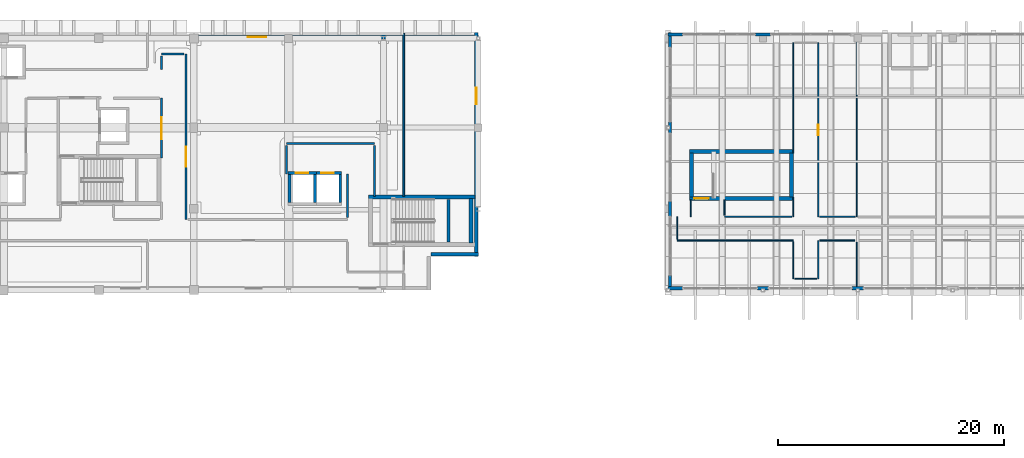
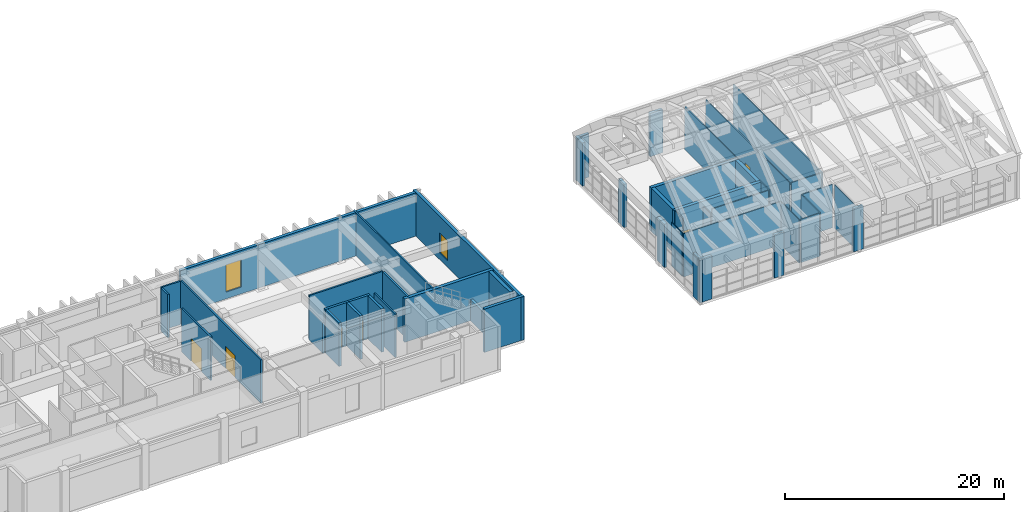
# One storey, part 70 of 78: 48 walls, 6 doors, 2 windows, 8 openings.
"""IFC4 building model written with IfcOpenShell, lengths in metres."""

import ifcopenshell
import ifcopenshell.guid

model = None  # the IFC model being written
_history = None  # IfcOwnerHistory: only IFC2X3 demands one
_inside = {}  # id of a spatial element -> (the spatial element, [elements in it])
_under = {}  # id of a project, library or spatial element -> (it, [spatial elements below it])
_declared = {}  # id of a project -> (the project, [libraries it declares])
_typed = {}  # id of a type object -> (the type object, [elements of that type])
_made_of = {}  # id of a material, layer set ... -> (it, [elements and type objects made of it])


def new_model(schema):
    """Start an empty IFC model of exactly this schema.

    Asked for "IFC4X3", IfcOpenShell would pick the latest addendum, in which some entities
    have other attributes; the version numbers below select the first issue.
    IFC2X3 requires an IfcOwnerHistory on every rooted entity: one is made here for all.
    """
    global model, _history
    if schema == "IFC4X3":
        model = ifcopenshell.file(schema_version=(4, 3, 0, 0))
    else:
        model = ifcopenshell.file(schema=schema)
    _inside.clear()
    _under.clear()
    _declared.clear()
    _typed.clear()
    _made_of.clear()
    _history = None
    if model.schema == "IFC2X3":
        org = make("IfcOrganization", Name="unknown")
        user = make(
            "IfcPersonAndOrganization",
            ThePerson=make("IfcPerson", FamilyName="unknown"),
            TheOrganization=org,
        )
        app = make(
            "IfcApplication",
            ApplicationDeveloper=org,
            Version="unknown",
            ApplicationFullName="unknown",
            ApplicationIdentifier="unknown",
        )
        _history = make(
            "IfcOwnerHistory",
            OwningUser=user,
            OwningApplication=app,
            ChangeAction="ADDED",
            CreationDate=0,
        )
    return model


def make(cls, **values):
    """One entity of the class cls with the attributes given. An attribute that is None is left unset."""
    return model.create_entity(
        cls, **{name: value for name, value in values.items() if value is not None}
    )


def rooted(cls, **values):
    """An entity with a GlobalId (a new one), such as an element, a storey or a relation."""
    return make(cls, GlobalId=ifcopenshell.guid.new(), OwnerHistory=_history, **values)


def si_unit(unit_type, name, prefix=None):
    """IfcSIUnit, for example si_unit("LENGTHUNIT", "METRE", prefix="MILLI")."""
    return make("IfcSIUnit", UnitType=unit_type, Prefix=prefix, Name=name)


def assignment(units):
    """IfcUnitAssignment: the units of a project."""
    return None if units is None else make("IfcUnitAssignment", Units=units)


def point(xyz):
    """IfcCartesianPoint."""
    return None if xyz is None else make("IfcCartesianPoint", Coordinates=xyz)


def direction(xyz):
    """IfcDirection."""
    return None if xyz is None else make("IfcDirection", DirectionRatios=xyz)


def frame(location, z_axis=None, x_axis=None):
    """IfcAxis2Placement3D, a coordinate frame: its origin and axes. An axis left out is left unset."""
    return make(
        "IfcAxis2Placement3D",
        Location=point(location),
        Axis=direction(z_axis),
        RefDirection=direction(x_axis),
    )


def frame_2d(location, x_axis=None):
    """IfcAxis2Placement2D, a coordinate frame in the plane: its origin and x axis."""
    return make(
        "IfcAxis2Placement2D", Location=point(location), RefDirection=direction(x_axis)
    )


def origin():
    """The frame at (0, 0, 0) with its axes left unset."""
    return frame((0.0, 0.0, 0.0))


def place(relative_to, where):
    """IfcLocalPlacement: puts the frame where relative to a parent placement (None: the world)."""
    return make(
        "IfcLocalPlacement", PlacementRelTo=relative_to, RelativePlacement=where
    )


def context(
    kind, dimensions, precision=None, world=None, true_north=None, identifier=None
):
    """IfcGeometricRepresentationContext, for example the 3D "Model" context."""
    return make(
        "IfcGeometricRepresentationContext",
        ContextIdentifier=identifier,
        ContextType=kind,
        CoordinateSpaceDimension=dimensions,
        Precision=precision,
        WorldCoordinateSystem=world,
        TrueNorth=true_north,
    )


def subcontext(parent, identifier, kind, view, scale=None):
    """IfcGeometricRepresentationSubContext, for example "Body" below "Model"."""
    return make(
        "IfcGeometricRepresentationSubContext",
        ContextIdentifier=identifier,
        ContextType=kind,
        ParentContext=parent,
        TargetScale=scale,
        TargetView=view,
    )


def project(units=None, contexts=None):
    """IfcProject with its units and contexts."""
    return rooted(
        "IfcProject",
        Name="project",
        RepresentationContexts=contexts,
        UnitsInContext=assignment(units),
    )


def spatial(cls, under=None, at=None, **own):
    """A site, building, storey or space (cls), placed at a placement, below another one or the project."""
    s = rooted(cls, ObjectPlacement=at, **own)
    if under is not None:
        _under.setdefault(under.id(), (under, []))[1].append(s)
    return s


def profile(cls, at=None, kind="AREA", **sizes):
    """A parametric profile (cls). Its sizes go by their IFC names, for example OverallWidth=200.0."""
    return make(cls, ProfileType=kind, Position=at, **sizes)


def rectangle(**sizes):
    """IfcRectangleProfileDef."""
    return profile("IfcRectangleProfileDef", **sizes)


def extrude(swept, where, along, depth):
    """IfcExtrudedAreaSolid: the profile swept, set in the frame where, extruded along a direction by depth."""
    return make(
        "IfcExtrudedAreaSolid",
        SweptArea=swept,
        Position=where,
        ExtrudedDirection=direction(along),
        Depth=depth,
    )


def shape(context_of_items, identifier, shape_type, items):
    """IfcShapeRepresentation: the items that make up one representation, for example the "Body"."""
    return make(
        "IfcShapeRepresentation",
        ContextOfItems=context_of_items,
        RepresentationIdentifier=identifier,
        RepresentationType=shape_type,
        Items=items,
    )


def material(Name=None, Category=None):
    """IfcMaterial."""
    return make("IfcMaterial", Name=Name, Category=Category)


def layer(
    of_material, thickness, ventilated=None, Name=None, Category=None, Priority=None
):
    """IfcMaterialLayer: one layer of a wall or slab, of a material (None: an air gap)."""
    return make(
        "IfcMaterialLayer",
        Material=of_material,
        LayerThickness=thickness,
        IsVentilated=ventilated,
        Name=Name,
        Category=Category,
        Priority=Priority,
    )


def layer_set(layers, Name=None):
    """IfcMaterialLayerSet."""
    return make("IfcMaterialLayerSet", MaterialLayers=layers, LayerSetName=Name)


def made_of(thing, what):
    """Note that an element or type object is made of a material, layer set ...; save() writes the relation."""
    if what is not None:
        _made_of.setdefault(what.id(), (what, []))[1].append(thing)
    return thing


def type_object(cls, material=None, **own):
    """A type object (cls), such as IfcWallType, which elements share."""
    return made_of(rooted(cls, **own), material)


def element(
    cls,
    number,
    at=None,
    inside=None,
    cuts=None,
    type_object=None,
    material=None,
    context=None,
    identifier="Body",
    shape_type=None,
    held_by="IfcProductDefinitionShape",
    body=None,
    shapes=None,
    **own,
):
    """One element of the class cls, such as IfcWall. Its Tag is "e" and its number.

    at: its placement. inside: the storey or other place that contains it. cuts: it is an
    opening in that element (IfcRelVoidsElement). A single representation is given by context,
    identifier, shape_type and body (its items); several are given by shapes. held_by: the class
    of the entity that holds the representations. save() writes the other relations.
    """
    e = rooted(cls, Tag="e%d" % number, ObjectPlacement=at, **own)
    if body is not None:
        shapes = [shape(context, identifier, shape_type, body)]
    if shapes is not None:
        e.Representation = make(held_by, Representations=shapes)
    if inside is not None:
        _inside.setdefault(inside.id(), (inside, []))[1].append(e)
    if cuts is not None:
        rooted(
            "IfcRelVoidsElement", RelatingBuildingElement=cuts, RelatedOpeningElement=e
        )
    if type_object is not None:
        _typed.setdefault(type_object.id(), (type_object, []))[1].append(e)
    return made_of(e, material)


def fill(opening, filler):
    """IfcRelFillsElement: the door or window that sits in an opening."""
    return rooted(
        "IfcRelFillsElement",
        RelatingOpeningElement=opening,
        RelatedBuildingElement=filler,
    )


def aggregate(whole, parts):
    """IfcRelAggregates: a whole, such as a stair, and the parts it consists of."""
    return rooted("IfcRelAggregates", RelatingObject=whole, RelatedObjects=parts)


def save(model, path):
    """Write the relations noted so far, then the file.

    IfcRelAggregates (storeys below a building ...), IfcRelContainedInSpatialStructure (elements
    in a storey), IfcRelDefinesByType, IfcRelAssociatesMaterial and IfcRelDeclares: one each for
    every whole, place, type object, material and project.
    """
    for whole, parts in _under.values():
        aggregate(whole, parts)
    for where, things in _inside.values():
        rooted(
            "IfcRelContainedInSpatialStructure",
            RelatedElements=things,
            RelatingStructure=where,
        )
    for kind, things in _typed.values():
        rooted("IfcRelDefinesByType", RelatedObjects=things, RelatingType=kind)
    for what, things in _made_of.values():
        rooted("IfcRelAssociatesMaterial", RelatedObjects=things, RelatingMaterial=what)
    for by, libraries in _declared.values():
        rooted("IfcRelDeclares", RelatingContext=by, RelatedDefinitions=libraries)
    model.write(path)


model = new_model("IFC4")

# Units and contexts
model_context = context("Model", 3, precision=1e-05, world=origin(), true_north=direction((0.0, 1.0)))
body_context = subcontext(model_context, "Body", "Model", "MODEL_VIEW")
ifc_project = project(units=[si_unit("LENGTHUNIT", "METRE"), si_unit("AREAUNIT", "SQUARE_METRE"), si_unit("VOLUMEUNIT", "CUBIC_METRE"), si_unit("PLANEANGLEUNIT", "RADIAN"), si_unit("MASSUNIT", "GRAM", prefix="KILO")], contexts=[model_context])

# Site, building, storey
site_placement = place(None, origin())
site = spatial("IfcSite", under=ifc_project, at=site_placement, CompositionType="ELEMENT")
building_placement = place(site_placement, origin())
building = spatial("IfcBuilding", under=site, at=building_placement, Name="Quendrovan Civic Courthouse", CompositionType="ELEMENT")
storey_placement = place(building_placement, frame((0.0, 0.0, 20.39990234375)))
storey = spatial("IfcBuildingStorey", under=building, at=storey_placement, Name="L05", CompositionType="ELEMENT", Elevation=20.39990234375)

# Walls
ifc_material_1 = material(Name="Concrete C45/55", Category="concrete")
ifc_layer_1 = layer(ifc_material_1, 0.35009765625, Name="Concrete C45/55")
ifc_layer_set_1 = layer_set([ifc_layer_1], Name="Concrete C45/55")
wall_type_1 = type_object("IfcWallType", Name="WL-CORE-350", PredefinedType="SHEAR", material=ifc_layer_set_1)
wall_1_placement = place(storey_placement, frame((92.10009765625, 95.8349609375, 0.0), z_axis=(0.0, 0.0, 1.0), x_axis=(-1.0, 0.0, 0.0)))
element("IfcWall", 1, at=wall_1_placement, inside=storey, type_object=wall_type_1, Name="L05 Core Shear Wall ST3-N", PredefinedType="SHEAR", context=body_context, shape_type="SweptSolid", body=[
    extrude(rectangle(XDim=9.41015625, YDim=0.35009765625, at=frame_2d((4.705078125, 0.0))), origin(), (0.0, 0.0, 1.0), 4.840087890625),
])
wall_2_placement = place(storey_placement, frame((91.735107421875, 95.699951171875, 0.0), z_axis=(0.0, 0.0, 1.0), x_axis=(0.0, -1.0, 0.0)))
element("IfcWall", 2, at=wall_2_placement, inside=storey, type_object=wall_type_1, Name="L05 Core Shear Wall ST3-E", PredefinedType="SHEAR", context=body_context, shape_type="SweptSolid", body=[
    extrude(rectangle(XDim=3.89990234375, YDim=0.35009765625, at=frame_2d((1.949951171875, 0.0))), origin(), (0.0, 0.0, 1.0), 4.840087890625),
])

# Wall, opening, door
wall_3_placement = place(storey_placement, frame((111.090087890625, 95.715087890625, 0.0), z_axis=(0.0, 0.0, 1.0), x_axis=(1.0, 0.0, 0.0)))
wall_3 = element("IfcWall", 3, at=wall_3_placement, inside=storey, type_object=wall_type_1, Name="L05 Core Shear Wall ST6-S", PredefinedType="SHEAR", context=body_context, shape_type="SweptSolid", body=[
    extrude(rectangle(XDim=9.219970703125, YDim=0.35009765625, at=frame_2d((4.60986328125, 0.0))), origin(), (0.0, 0.0, 1.0), 4.840087890625),
])
opening_1_placement = place(wall_3_placement, frame((0.449951171875, 0.0, 0.0)))
opening_1 = element("IfcOpeningElement", 4, at=opening_1_placement, cuts=wall_3, Name="Opening DS-ST6-L05", PredefinedType="OPENING", context=body_context, shape_type="SweptSolid", body=[
    extrude(rectangle(XDim=1.25, YDim=2.199951171875, at=frame_2d((0.625, 1.10009765625))), frame((0.0, 0.18505859375, 0.0), z_axis=(0.0, -1.0, 0.0), x_axis=(1.0, 0.0, 0.0)), (0.0, 0.0, 1.0), 0.3701171875),
])
ifc_material_2 = material(Name="Painted galvanized hollow-metal steel", Category="steel")
door_type_1 = type_object("IfcDoorType", Name="DR-STAIR-1250", OperationType="NOTDEFINED", PredefinedType="DOOR", material=ifc_material_2)
door_1_placement = place(opening_1_placement, origin())
door_1 = element("IfcDoor", 5, at=door_1_placement, inside=storey, type_object=door_type_1, Name="L05 Exit Stair ST6 Fire Door", OperationType="SINGLE_SWING_LEFT", OverallHeight=2.199951171875, OverallWidth=1.25, PredefinedType="DOOR", context=body_context, shape_type="SweptSolid", body=[
    extrude(rectangle(XDim=1.25, YDim=2.199951171875, at=frame_2d((0.625, 1.10009765625))), frame((0.0, 0.02490234375, 0.0), z_axis=(0.0, -1.0, 0.0), x_axis=(1.0, 0.0, 0.0)), (0.0, 0.0, 1.0), 0.050048828125),
])
fill(opening_1, door_1)

# Walls
wall_4_placement = place(storey_placement, frame((120.31005859375, 99.885009765625, 0.0), z_axis=(0.0, 0.0, 1.0), x_axis=(-1.0, 0.0, 0.0)))
element("IfcWall", 6, at=wall_4_placement, inside=storey, type_object=wall_type_1, Name="L05 Core Shear Wall ST6-N", PredefinedType="SHEAR", context=body_context, shape_type="SweptSolid", body=[
    extrude(rectangle(XDim=9.219970703125, YDim=0.35009765625, at=frame_2d((4.60986328125, 0.0))), origin(), (0.0, 0.0, 1.0), 4.840087890625),
])
for number, where, z_axis, x_axis, name in (
    (7, (111.264892578125, 95.85009765625, 0.0), (0.0, 0.0, 1.0), (0.0, 1.0, 0.0), "L05 Core Shear Wall ST6-W"),
    (8, (120.135009765625, 99.75, 0.0), (0.0, 0.0, 1.0), (0.0, -1.0, 0.0), "L05 Core Shear Wall ST6-E"),
):
    element("IfcWall", number, at=place(storey_placement, frame(where, z_axis=z_axis, x_axis=x_axis)), inside=storey, type_object=wall_type_1, Name=name, PredefinedType="SHEAR", context=body_context, shape_type="SweptSolid", body=[
        extrude(rectangle(XDim=3.89990234375, YDim=0.35009765625, at=frame_2d((1.949951171875, 0.0))), origin(), (0.0, 0.0, 1.0), 4.840087890625),
    ])

# Wall, opening, door
ifc_material_3 = material(Name="Acoustic gypsum and mineral wool partition")
ifc_layer_2 = layer(ifc_material_3, 0.179931640625, Name="Acoustic gypsum and mineral wool partition")
ifc_layer_set_2 = layer_set([ifc_layer_2], Name="Acoustic gypsum and mineral wool partition")
wall_type_2 = type_object("IfcWallType", Name="WL-CRT-AC180", PredefinedType="PARTITIONING", material=ifc_layer_set_2)
wall_5_placement = place(storey_placement, frame((66.5, 93.85009765625, 0.0), z_axis=(0.0, 0.0, 1.0), x_axis=(0.0, 1.0, 0.0)))
wall_5 = element("IfcWall", 9, at=wall_5_placement, inside=storey, type_object=wall_type_2, Name="L05 Criminal Courtroom 2 Partition 0677", PredefinedType="PARTITIONING", context=body_context, shape_type="SweptSolid", body=[
    extrude(rectangle(XDim=14.64990234375, YDim=0.179931640625, at=frame_2d((7.324951171875, 0.0))), origin(), (0.0, 0.0, 1.0), 4.840087890625),
])
opening_2_placement = place(wall_5_placement, frame((4.68701171875, 0.0, 0.0)))
opening_2 = element("IfcOpeningElement", 10, at=opening_2_placement, cuts=wall_5, Name="Opening D-L05-102", PredefinedType="OPENING", context=body_context, shape_type="SweptSolid", body=[
    extrude(rectangle(XDim=1.760009765625, YDim=2.47998046875, at=frame_2d((0.8798828125, 1.239990234375))), frame((0.0, 0.10009765625, 0.0), z_axis=(0.0, -1.0, 0.0), x_axis=(1.0, 0.0, 0.0)), (0.0, 0.0, 1.0), 0.199951171875),
])
ifc_material_4 = material(Name="Acoustic solid Western Red Cedar timber door", Category="wood")
door_type_2 = type_object("IfcDoorType", Name="DR-CRT-DBL1760", OperationType="NOTDEFINED", PredefinedType="DOOR", material=ifc_material_4)
door_2_placement = place(opening_2_placement, origin())
door_2 = element("IfcDoor", 11, at=door_2_placement, inside=storey, type_object=door_type_2, Name="L05 Criminal Courtroom 2 Door D-L05-102", OperationType="SINGLE_SWING_LEFT", OverallHeight=2.47998046875, OverallWidth=1.760009765625, PredefinedType="DOOR", context=body_context, shape_type="SweptSolid", body=[
    extrude(rectangle(XDim=1.760009765625, YDim=2.47998046875, at=frame_2d((0.8798828125, 1.239990234375))), frame((0.0, 0.02490234375, 0.0), z_axis=(0.0, -1.0, 0.0), x_axis=(1.0, 0.0, 0.0)), (0.0, 0.0, 1.0), 0.050048828125),
])
fill(opening_2, door_2)

wall_6_placement = place(storey_placement, frame((64.35009765625, 104.60009765625, 0.0), z_axis=(0.0, 0.0, 1.0), x_axis=(0.0, -1.0, 0.0)))
wall_6 = element("IfcWall", 12, at=wall_6_placement, inside=storey, type_object=wall_type_2, Name="L05 Criminal Courtroom 1 Partition 0682", PredefinedType="PARTITIONING", context=body_context, shape_type="SweptSolid", body=[
    extrude(rectangle(XDim=5.300048828125, YDim=0.179931640625, at=frame_2d((2.64990234375, 0.0))), origin(), (0.0, 0.0, 1.0), 4.840087890625),
])
opening_3_placement = place(wall_6_placement, frame((1.68994140625, 0.0, 0.0)))
opening_3 = element("IfcOpeningElement", 13, at=opening_3_placement, cuts=wall_6, Name="Opening D-L05-101", PredefinedType="OPENING", context=body_context, shape_type="SweptSolid", body=[
    extrude(rectangle(XDim=1.919921875, YDim=2.550048828125, at=frame_2d((0.9599609375, 1.27490234375))), frame((0.0, 0.10009765625, 0.0), z_axis=(0.0, -1.0, 0.0), x_axis=(1.0, 0.0, 0.0)), (0.0, 0.0, 1.0), 0.199951171875),
])
door_type_3 = type_object("IfcDoorType", Name="DR-CRT-DBL1920", OperationType="NOTDEFINED", PredefinedType="DOOR", material=ifc_material_4)
door_3_placement = place(opening_3_placement, origin())
door_3 = element("IfcDoor", 14, at=door_3_placement, inside=storey, type_object=door_type_3, Name="L05 Criminal Courtroom 1 Door D-L05-101", OperationType="SINGLE_SWING_RIGHT", OverallHeight=2.550048828125, OverallWidth=1.919921875, PredefinedType="DOOR", context=body_context, shape_type="SweptSolid", body=[
    extrude(rectangle(XDim=1.919921875, YDim=2.550048828125, at=frame_2d((0.9599609375, 1.27490234375))), frame((0.0, 0.02490234375, 0.0), z_axis=(0.0, -1.0, 0.0), x_axis=(1.0, 0.0, 0.0)), (0.0, 0.0, 1.0), 0.050048828125),
])
fill(opening_3, door_3)

# Walls
wall_7_placement = place(storey_placement, frame((83.199951171875, 100.60009765625, 0.0), z_axis=(0.0, 0.0, 1.0), x_axis=(-1.0, 0.0, 0.0)))
element("IfcWall", 15, at=wall_7_placement, inside=storey, type_object=wall_type_2, Name="L05 Criminal Courtroom 2 Partition 0687", PredefinedType="PARTITIONING", context=body_context, shape_type="SweptSolid", body=[
    extrude(rectangle(XDim=7.800048828125, YDim=0.179931640625, at=frame_2d((3.89990234375, 0.0))), origin(), (0.0, 0.0, 1.0), 4.840087890625),
])
wall_8_placement = place(storey_placement, frame((83.199951171875, 95.919921875, 0.0), z_axis=(0.0, 0.0, 1.0), x_axis=(0.0, 1.0, 0.0)))
element("IfcWall", 16, at=wall_8_placement, inside=storey, type_object=wall_type_2, Name="L05 Criminal Courtroom 2 Partition 0698", PredefinedType="PARTITIONING", context=body_context, shape_type="SweptSolid", body=[
    extrude(rectangle(XDim=4.510009765625, YDim=0.179931640625, at=frame_2d((2.2548828125, 0.0))), origin(), (0.0, 0.0, 1.0), 4.840087890625),
])
wall_9_placement = place(storey_placement, frame((80.800048828125, 97.89990234375, 0.0), z_axis=(0.0, 0.0, 1.0), x_axis=(0.0, -1.0, 0.0)))
element("IfcWall", 17, at=wall_9_placement, inside=storey, type_object=wall_type_2, Name="L05 Criminal Courtroom 2 Partition 0707", PredefinedType="PARTITIONING", context=body_context, shape_type="SweptSolid", body=[
    extrude(rectangle(XDim=3.8798828125, YDim=0.179931640625, at=frame_2d((1.93994140625, 0.0))), origin(), (0.0, 0.0, 1.0), 4.840087890625),
])
wall_10_placement = place(storey_placement, frame((75.39990234375, 100.429931640625, 0.0), z_axis=(0.0, 0.0, 1.0), x_axis=(0.0, -1.0, 0.0)))
element("IfcWall", 18, at=wall_10_placement, inside=storey, type_object=wall_type_2, Name="L05 Criminal Courtroom 2 Partition 0729", PredefinedType="PARTITIONING", context=body_context, shape_type="SweptSolid", body=[
    extrude(rectangle(XDim=2.530029296875, YDim=0.179931640625, at=frame_2d((1.26513671875, 0.0))), origin(), (0.0, 0.0, 1.0), 3.4501953125),
])
wall_11_placement = place(storey_placement, frame((66.330078125, 108.5, 0.0), z_axis=(0.0, 0.0, 1.0), x_axis=(-1.0, 0.0, 0.0)))
element("IfcWall", 19, at=wall_11_placement, inside=storey, type_object=wall_type_2, Name="L05 Criminal Courtroom 2 Partition 0737", PredefinedType="PARTITIONING", context=body_context, shape_type="SweptSolid", body=[
    extrude(rectangle(XDim=1.97998046875, YDim=0.179931640625, at=frame_2d((0.989990234375, 0.0))), origin(), (0.0, 0.0, 1.0), 4.840087890625),
])
wall_12_placement = place(storey_placement, frame((64.35009765625, 108.330078125, 0.0), z_axis=(0.0, 0.0, 1.0), x_axis=(0.0, -1.0, 0.0)))
element("IfcWall", 20, at=wall_12_placement, inside=storey, type_object=wall_type_2, Name="L05 Criminal Courtroom 2 Partition 0747", PredefinedType="PARTITIONING", context=body_context, shape_type="SweptSolid", body=[
    extrude(rectangle(XDim=1.18017578125, YDim=0.179931640625, at=frame_2d((0.590087890625, 0.0))), origin(), (0.0, 0.0, 1.0), 4.840087890625),
])
ifc_material_5 = material(Name="Precast concrete C45/55", Category="concrete")
ifc_layer_3 = layer(ifc_material_5, 0.2900390625, Name="Precast concrete C45/55")
ifc_layer_set_3 = layer_set([ifc_layer_3], Name="Precast concrete C45/55")
wall_type_3 = type_object("IfcWallType", Name="WL-EXT-PC290", PredefinedType="SOLIDWALL", material=ifc_layer_set_3)
wall_13_placement = place(storey_placement, frame((109.199951171875, 110.235107421875, 0.0), z_axis=(0.0, 0.0, 1.0), x_axis=(1.0, 0.0, 0.0)))
element("IfcWall", 21, at=wall_13_placement, inside=storey, type_object=wall_type_3, Name="L05 Exterior Pier Wall 449", PredefinedType="SOLIDWALL", context=body_context, shape_type="SweptSolid", body=[
    extrude(rectangle(XDim=1.300048828125, YDim=0.2900390625, at=frame_2d((0.64990234375, 0.0))), origin(), (0.0, 0.0, 1.0), 4.840087890625),
])
wall_14_placement = place(storey_placement, frame((116.925048828125, 110.235107421875, 0.0), z_axis=(0.0, 0.0, 1.0), x_axis=(1.0, 0.0, 0.0)))
element("IfcWall", 22, at=wall_14_placement, inside=storey, type_object=wall_type_3, Name="L05 Exterior Pier Wall 450", PredefinedType="SOLIDWALL", context=body_context, shape_type="SweptSolid", body=[
    extrude(rectangle(XDim=1.349853515625, YDim=0.2900390625, at=frame_2d((0.6748046875, 0.0))), origin(), (0.0, 0.0, 1.0), 4.840087890625),
])
for number, where, z_axis, x_axis, name in (
    (23, (126.5, 87.764892578125, 0.0), (0.0, 0.0, 1.0), (-1.0, 0.0, 0.0), "L05 Exterior Pier Wall 463"),
    (24, (118.10009765625, 87.764892578125, 0.0), (0.0, 0.0, 1.0), (-1.0, 0.0, 0.0), "L05 Exterior Pier Wall 464"),
):
    element("IfcWall", number, at=place(storey_placement, frame(where, z_axis=z_axis, x_axis=x_axis)), inside=storey, type_object=wall_type_3, Name=name, PredefinedType="SOLIDWALL", context=body_context, shape_type="SweptSolid", body=[
        extrude(rectangle(XDim=1.0, YDim=0.2900390625, at=frame_2d((0.5, 0.0))), origin(), (0.0, 0.0, 1.0), 4.840087890625),
    ])
wall_15_placement = place(storey_placement, frame((110.5, 87.764892578125, 0.0), z_axis=(0.0, 0.0, 1.0), x_axis=(-1.0, 0.0, 0.0)))
element("IfcWall", 25, at=wall_15_placement, inside=storey, type_object=wall_type_3, Name="L05 Exterior Pier Wall 465", PredefinedType="SOLIDWALL", context=body_context, shape_type="SweptSolid", body=[
    extrude(rectangle(XDim=1.300048828125, YDim=0.2900390625, at=frame_2d((0.64990234375, 0.0))), origin(), (0.0, 0.0, 1.0), 4.840087890625),
])
wall_16_placement = place(storey_placement, frame((109.364990234375, 87.60009765625, 0.0), z_axis=(0.0, 0.0, 1.0), x_axis=(0.0, 1.0, 0.0)))
element("IfcWall", 26, at=wall_16_placement, inside=storey, type_object=wall_type_3, Name="L05 Exterior Pier Wall 466", PredefinedType="SOLIDWALL", context=body_context, shape_type="SweptSolid", body=[
    extrude(rectangle(XDim=1.2998046875, YDim=0.2900390625, at=frame_2d((0.64990234375, 0.0))), origin(), (0.0, 0.0, 1.0), 4.840087890625),
])
wall_17_placement = place(storey_placement, frame((109.364990234375, 94.125, 0.0), z_axis=(0.0, 0.0, 1.0), x_axis=(0.0, 1.0, 0.0)))
element("IfcWall", 27, at=wall_17_placement, inside=storey, type_object=wall_type_3, Name="L05 Exterior Pier Wall 467", PredefinedType="SOLIDWALL", context=body_context, shape_type="SweptSolid", body=[
    extrude(rectangle(XDim=1.35009765625, YDim=0.2900390625, at=frame_2d((0.675048828125, 0.0))), origin(), (0.0, 0.0, 1.0), 4.840087890625),
])
wall_18_placement = place(storey_placement, frame((109.364990234375, 101.5, 0.0), z_axis=(0.0, 0.0, 1.0), x_axis=(0.0, 1.0, 0.0)))
element("IfcWall", 28, at=wall_18_placement, inside=storey, type_object=wall_type_3, Name="L05 Exterior Pier Wall 468", PredefinedType="SOLIDWALL", context=body_context, shape_type="SweptSolid", body=[
    extrude(rectangle(XDim=1.0, YDim=0.2900390625, at=frame_2d((0.5, 0.0))), origin(), (0.0, 0.0, 1.0), 4.840087890625),
])
wall_19_placement = place(storey_placement, frame((109.364990234375, 109.10009765625, 0.0), z_axis=(0.0, 0.0, 1.0), x_axis=(0.0, 1.0, 0.0)))
element("IfcWall", 29, at=wall_19_placement, inside=storey, type_object=wall_type_3, Name="L05 Exterior Pier Wall 469", PredefinedType="SOLIDWALL", context=body_context, shape_type="SweptSolid", body=[
    extrude(rectangle(XDim=1.2998046875, YDim=0.2900390625, at=frame_2d((0.64990234375, 0.0))), origin(), (0.0, 0.0, 1.0), 4.840087890625),
])

# Wall, opening, window
ifc_layer_4 = layer(ifc_material_5, 0.320068359375, Name="Precast concrete C45/55")
ifc_layer_set_4 = layer_set([ifc_layer_4], Name="Precast concrete C45/55")
wall_type_4 = type_object("IfcWallType", Name="WL-EXT-PC320", PredefinedType="SOLIDWALL", material=ifc_layer_set_4)
wall_20_placement = place(storey_placement, frame((92.219970703125, 110.39990234375, 0.0), z_axis=(0.0, 0.0, 1.0), x_axis=(0.0, -1.0, 0.0)))
wall_20 = element("IfcWall", 30, at=wall_20_placement, inside=storey, type_object=wall_type_4, Name="L05 Exterior Precast Concrete Wall 439", PredefinedType="SOLIDWALL", context=body_context, shape_type="SweptSolid", body=[
    extrude(rectangle(XDim=19.7998046875, YDim=0.320068359375, at=frame_2d((9.89990234375, 0.0))), origin(), (0.0, 0.0, 1.0), 4.840087890625),
])
opening_4_placement = place(wall_20_placement, frame((4.8798828125, 0.0, 0.75)))
opening_4 = element("IfcOpeningElement", 31, at=opening_4_placement, cuts=wall_20, Name="Opening W27", PredefinedType="OPENING", context=body_context, shape_type="SweptSolid", body=[
    extrude(rectangle(XDim=1.43994140625, YDim=2.25, at=frame_2d((0.719970703125, 1.125))), frame((0.0, 0.169921875, 0.0), z_axis=(0.0, -1.0, 0.0), x_axis=(1.0, 0.0, 0.0)), (0.0, 0.0, 1.0), 0.340087890625),
])
ifc_material_6 = material(Name="Laminated hurricane-impact low-E glass", Category="glass")
window_type_1 = type_object("IfcWindowType", Name="WIN-SLT-27", PartitioningType="SINGLE_PANEL", PredefinedType="WINDOW", material=ifc_material_6)
window_1_placement = place(opening_4_placement, origin())
window_1 = element("IfcWindow", 32, at=window_1_placement, inside=storey, type_object=window_type_1, Name="L05 Courtroom Shaded Slot Window 0035", OverallHeight=2.25, OverallWidth=1.43994140625, PartitioningType="SINGLE_PANEL", PredefinedType="WINDOW", context=body_context, shape_type="SweptSolid", body=[
    extrude(rectangle(XDim=1.43994140625, YDim=2.25, at=frame_2d((0.719970703125, 1.125))), frame((0.0, 0.030029296875, 0.0), z_axis=(0.0, -1.0, 0.0), x_axis=(1.0, 0.0, 0.0)), (0.0, 0.0, 1.0), 0.06005859375),
])
fill(opening_4, window_1)

# Wall
wall_21_placement = place(storey_placement, frame((92.39990234375, 90.780029296875, 0.0), z_axis=(0.0, 0.0, 1.0), x_axis=(-1.0, 0.0, 0.0)))
element("IfcWall", 33, at=wall_21_placement, inside=storey, type_object=wall_type_4, Name="L05 Exterior Precast Concrete Wall 440", PredefinedType="SOLIDWALL", context=body_context, shape_type="SweptSolid", body=[
    extrude(rectangle(XDim=4.199951171875, YDim=0.320068359375, at=frame_2d((2.10009765625, 0.0))), origin(), (0.0, 0.0, 1.0), 4.840087890625),
])

# Wall, opening, window
wall_22_placement = place(storey_placement, frame((67.199951171875, 110.02001953125, 0.0), z_axis=(0.0, 0.0, 1.0), x_axis=(1.0, 0.0, 0.0)))
wall_22 = element("IfcWall", 34, at=wall_22_placement, inside=storey, type_object=wall_type_4, Name="L05 Exterior Precast Concrete Wall 448", PredefinedType="SOLIDWALL", context=body_context, shape_type="SweptSolid", body=[
    extrude(rectangle(XDim=25.199951171875, YDim=0.320068359375, at=frame_2d((12.60009765625, 0.0))), origin(), (0.0, 0.0, 1.0), 4.840087890625),
])
opening_5_placement = place(wall_22_placement, frame((4.7900390625, 0.0, 0.75)))
opening_5 = element("IfcOpeningElement", 35, at=opening_5_placement, cuts=wall_22, Name="Opening W34", PredefinedType="OPENING", context=body_context, shape_type="SweptSolid", body=[
    extrude(rectangle(XDim=1.6201171875, YDim=3.050048828125, at=frame_2d((0.81005859375, 1.52490234375))), frame((0.0, 0.169921875, 0.0), z_axis=(0.0, -1.0, 0.0), x_axis=(1.0, 0.0, 0.0)), (0.0, 0.0, 1.0), 0.340087890625),
])
window_type_2 = type_object("IfcWindowType", Name="WIN-SLT-34", PartitioningType="SINGLE_PANEL", PredefinedType="WINDOW", material=ifc_material_6)
window_2_placement = place(opening_5_placement, origin())
window_2 = element("IfcWindow", 36, at=window_2_placement, inside=storey, type_object=window_type_2, Name="L05 Courtroom Shaded Slot Window 0041", OverallHeight=3.050048828125, OverallWidth=1.6201171875, PartitioningType="SINGLE_PANEL", PredefinedType="WINDOW", context=body_context, shape_type="SweptSolid", body=[
    extrude(rectangle(XDim=1.6201171875, YDim=3.050048828125, at=frame_2d((0.81005859375, 1.52490234375))), frame((0.0, 0.030029296875, 0.0), z_axis=(0.0, -1.0, 0.0), x_axis=(1.0, 0.0, 0.0)), (0.0, 0.0, 1.0), 0.06005859375),
])
fill(opening_5, window_2)

# Wall
ifc_material_7 = material(Name="Lightweight gypsum partition")
ifc_layer_5 = layer(ifc_material_7, 0.10009765625, Name="Lightweight gypsum partition")
ifc_layer_set_5 = layer_set([ifc_layer_5], Name="Lightweight gypsum partition")
wall_type_5 = type_object("IfcWallType", Name="WL-INT-100", PredefinedType="PARTITIONING", material=ifc_layer_set_5)
wall_23_placement = place(storey_placement, frame((125.89990234375, 110.340087890625, 0.0), z_axis=(0.0, 0.0, 1.0), x_axis=(0.0, -1.0, 0.0)))
element("IfcWall", 37, at=wall_23_placement, inside=storey, type_object=wall_type_5, Name="L05 Defense Counsel Room Partition 0671", PredefinedType="PARTITIONING", context=body_context, shape_type="SweptSolid", body=[
    extrude(rectangle(XDim=16.239990234375, YDim=0.10009765625, at=frame_2d((8.1201171875, 0.0))), origin(), (0.0, 0.0, 1.0), 4.840087890625),
])

# Wall, opening, door
wall_24_placement = place(storey_placement, frame((122.5, 94.10009765625, 0.0), z_axis=(0.0, 0.0, 1.0), x_axis=(0.0, 1.0, 0.0)))
wall_24 = element("IfcWall", 38, at=wall_24_placement, inside=storey, type_object=wall_type_5, Name="L05 Defense Counsel Room Partition 0674", PredefinedType="PARTITIONING", context=body_context, shape_type="SweptSolid", body=[
    extrude(rectangle(XDim=15.39990234375, YDim=0.10009765625, at=frame_2d((7.699951171875, 0.0))), origin(), (0.0, 0.0, 1.0), 4.840087890625),
])
opening_6_placement = place(wall_24_placement, frame((7.239990234375, 0.0, 0.0)))
opening_6 = element("IfcOpeningElement", 39, at=opening_6_placement, cuts=wall_24, Name="Opening D-L05-098", PredefinedType="OPENING", context=body_context, shape_type="SweptSolid", body=[
    extrude(rectangle(XDim=0.919921875, YDim=2.1201171875, at=frame_2d((0.4599609375, 1.06005859375))), frame((0.0, 0.06005859375, 0.0), z_axis=(0.0, -1.0, 0.0), x_axis=(1.0, 0.0, 0.0)), (0.0, 0.0, 1.0), 0.1201171875),
])
ifc_material_8 = material(Name="Moisture-resistant laminate timber door", Category="wood")
door_type_4 = type_object("IfcDoorType", Name="DR-WC-STD-920", OperationType="NOTDEFINED", PredefinedType="DOOR", material=ifc_material_8)
door_4_placement = place(opening_6_placement, origin())
door_4 = element("IfcDoor", 40, at=door_4_placement, inside=storey, type_object=door_type_4, Name="L05 Defense Counsel Room Door D-L05-098", OperationType="SINGLE_SWING_LEFT", OverallHeight=2.1201171875, OverallWidth=0.919921875, PredefinedType="DOOR", context=body_context, shape_type="SweptSolid", body=[
    extrude(rectangle(XDim=0.919921875, YDim=2.1201171875, at=frame_2d((0.4599609375, 1.06005859375))), frame((0.0, 0.02490234375, 0.0), z_axis=(0.0, -1.0, 0.0), x_axis=(1.0, 0.0, 0.0)), (0.0, 0.0, 1.0), 0.050048828125),
])
fill(opening_6, door_4)

# Walls
wall_25_placement = place(storey_placement, frame((120.300048828125, 109.5, 0.0), z_axis=(0.0, 0.0, 1.0), x_axis=(0.0, -1.0, 0.0)))
element("IfcWall", 41, at=wall_25_placement, inside=storey, type_object=wall_type_5, Name="L05 Defense Counsel Room Partition 0675", PredefinedType="PARTITIONING", context=body_context, shape_type="SweptSolid", body=[
    extrude(rectangle(XDim=9.75, YDim=0.10009765625, at=frame_2d((4.875, 0.0))), origin(), (0.0, 0.0, 1.0), 4.840087890625),
])
wall_26_placement = place(storey_placement, frame((120.300048828125, 95.85009765625, 0.0), z_axis=(0.0, 0.0, 1.0), x_axis=(0.0, -1.0, 0.0)))
element("IfcWall", 42, at=wall_26_placement, inside=storey, type_object=wall_type_5, Name="L05 Defense Counsel Room Partition 0676", PredefinedType="PARTITIONING", context=body_context, shape_type="SweptSolid", body=[
    extrude(rectangle(XDim=1.75, YDim=0.10009765625, at=frame_2d((0.875, 0.0))), origin(), (0.0, 0.0, 1.0), 4.840087890625),
])
wall_27_placement = place(storey_placement, frame((110.0, 92.0, 0.0), z_axis=(0.0, 0.0, 1.0), x_axis=(1.0, 0.0, 0.0)))
element("IfcWall", 43, at=wall_27_placement, inside=storey, type_object=wall_type_5, Name="L05 Defense Counsel Room Partition 0684", PredefinedType="PARTITIONING", context=body_context, shape_type="SweptSolid", body=[
    extrude(rectangle(XDim=10.300048828125, YDim=0.10009765625, at=frame_2d((5.14990234375, 0.0))), origin(), (0.0, 0.0, 1.0), 4.840087890625),
])
wall_28_placement = place(storey_placement, frame((120.169921875, 94.10009765625, 0.0), z_axis=(0.0, 0.0, 1.0), x_axis=(-1.0, 0.0, 0.0)))
element("IfcWall", 44, at=wall_28_placement, inside=storey, type_object=wall_type_5, Name="L05 Defense Counsel Room Partition 0691", PredefinedType="PARTITIONING", context=body_context, shape_type="SweptSolid", body=[
    extrude(rectangle(XDim=5.969970703125, YDim=0.10009765625, at=frame_2d((2.98486328125, 0.0))), origin(), (0.0, 0.0, 1.0), 4.840087890625),
])
wall_29_placement = place(storey_placement, frame((125.89990234375, 91.830078125, 0.0), z_axis=(0.0, 0.0, 1.0), x_axis=(0.0, -1.0, 0.0)))
element("IfcWall", 45, at=wall_29_placement, inside=storey, type_object=wall_type_5, Name="L05 Defense Counsel Room Partition 0700", PredefinedType="PARTITIONING", context=body_context, shape_type="SweptSolid", body=[
    extrude(rectangle(XDim=4.170166015625, YDim=0.10009765625, at=frame_2d((2.0849609375, 0.0))), origin(), (0.0, 0.0, 1.0), 4.840087890625),
])
wall_30_placement = place(storey_placement, frame((125.77001953125, 94.10009765625, 0.0), z_axis=(0.0, 0.0, 1.0), x_axis=(-1.0, 0.0, 0.0)))
element("IfcWall", 46, at=wall_30_placement, inside=storey, type_object=wall_type_5, Name="L05 Defense Counsel Room Partition 0713", PredefinedType="PARTITIONING", context=body_context, shape_type="SweptSolid", body=[
    extrude(rectangle(XDim=3.14013671875, YDim=0.10009765625, at=frame_2d((1.570068359375, 0.0))), origin(), (0.0, 0.0, 1.0), 4.840087890625),
])
wall_31_placement = place(storey_placement, frame((120.300048828125, 91.8701171875, 0.0), z_axis=(0.0, 0.0, 1.0), x_axis=(0.0, -1.0, 0.0)))
element("IfcWall", 47, at=wall_31_placement, inside=storey, type_object=wall_type_5, Name="L05 Defense Counsel Room Partition 0714", PredefinedType="PARTITIONING", context=body_context, shape_type="SweptSolid", body=[
    extrude(rectangle(XDim=3.27001953125, YDim=0.10009765625, at=frame_2d((1.635009765625, 0.0))), origin(), (0.0, 0.0, 1.0), 4.840087890625),
])
wall_32_placement = place(storey_placement, frame((122.5, 88.60009765625, 0.0), z_axis=(0.0, 0.0, 1.0), x_axis=(0.0, 1.0, 0.0)))
element("IfcWall", 48, at=wall_32_placement, inside=storey, type_object=wall_type_5, Name="L05 Defense Counsel Room Partition 0715", PredefinedType="PARTITIONING", context=body_context, shape_type="SweptSolid", body=[
    extrude(rectangle(XDim=3.39990234375, YDim=0.10009765625, at=frame_2d((1.699951171875, 0.0))), origin(), (0.0, 0.0, 1.0), 4.840087890625),
])
wall_33_placement = place(storey_placement, frame((122.6298828125, 92.0, 0.0), z_axis=(0.0, 0.0, 1.0), x_axis=(1.0, 0.0, 0.0)))
element("IfcWall", 49, at=wall_33_placement, inside=storey, type_object=wall_type_5, Name="L05 Defense Counsel Room Partition 0716", PredefinedType="PARTITIONING", context=body_context, shape_type="SweptSolid", body=[
    extrude(rectangle(XDim=3.10009765625, YDim=0.10009765625, at=frame_2d((1.550048828125, 0.0))), origin(), (0.0, 0.0, 1.0), 4.840087890625),
])
wall_34_placement = place(storey_placement, frame((120.429931640625, 88.60009765625, 0.0), z_axis=(0.0, 0.0, 1.0), x_axis=(1.0, 0.0, 0.0)))
element("IfcWall", 50, at=wall_34_placement, inside=storey, type_object=wall_type_5, Name="L05 Defense Counsel Room Partition 0734", PredefinedType="PARTITIONING", context=body_context, shape_type="SweptSolid", body=[
    extrude(rectangle(XDim=1.940185546875, YDim=0.10009765625, at=frame_2d((0.97021484375, 0.0))), origin(), (0.0, 0.0, 1.0), 4.840087890625),
])
wall_35_placement = place(storey_placement, frame((110.0, 94.10009765625, 0.0), z_axis=(0.0, 0.0, 1.0), x_axis=(0.0, -1.0, 0.0)))
element("IfcWall", 51, at=wall_35_placement, inside=storey, type_object=wall_type_5, Name="L05 Defense Counsel Room Partition 0738", PredefinedType="PARTITIONING", context=body_context, shape_type="SweptSolid", body=[
    extrude(rectangle(XDim=1.97021484375, YDim=0.10009765625, at=frame_2d((0.985107421875, 0.0))), origin(), (0.0, 0.0, 1.0), 4.840087890625),
])
wall_36_placement = place(storey_placement, frame((114.199951171875, 94.22998046875, 0.0), z_axis=(0.0, 0.0, 1.0), x_axis=(0.0, 1.0, 0.0)))
element("IfcWall", 52, at=wall_36_placement, inside=storey, type_object=wall_type_5, Name="L05 Defense Counsel Room Partition 0745", PredefinedType="PARTITIONING", context=body_context, shape_type="SweptSolid", body=[
    extrude(rectangle(XDim=1.39990234375, YDim=0.10009765625, at=frame_2d((0.699951171875, 0.0))), origin(), (0.0, 0.0, 1.0), 4.239990234375),
])
wall_37_placement = place(storey_placement, frame((111.199951171875, 95.6298828125, 0.0), z_axis=(0.0, 0.0, 1.0), x_axis=(0.0, -1.0, 0.0)))
element("IfcWall", 53, at=wall_37_placement, inside=storey, type_object=wall_type_5, Name="L05 Defense Counsel Room Partition 0746", PredefinedType="PARTITIONING", context=body_context, shape_type="SweptSolid", body=[
    extrude(rectangle(XDim=1.52978515625, YDim=0.10009765625, at=frame_2d((0.764892578125, 0.0))), origin(), (0.0, 0.0, 1.0), 4.840087890625),
])
ifc_material_9 = material(Name="Acoustic gypsum stud partition")
ifc_layer_6 = layer(ifc_material_9, 0.14990234375, Name="Acoustic gypsum stud partition")
ifc_layer_set_6 = layer_set([ifc_layer_6], Name="Acoustic gypsum stud partition")
wall_type_6 = type_object("IfcWallType", Name="WL-JURY-150", PredefinedType="PARTITIONING", material=ifc_layer_set_6)
wall_38_placement = place(storey_placement, frame((85.800048828125, 95.919921875, 0.0), z_axis=(0.0, 0.0, 1.0), x_axis=(0.0, 1.0, 0.0)))
element("IfcWall", 54, at=wall_38_placement, inside=storey, type_object=wall_type_6, Name="L05 Jury Room Partition 0678", PredefinedType="PARTITIONING", context=body_context, shape_type="SweptSolid", body=[
    extrude(rectangle(XDim=14.420166015625, YDim=0.14990234375, at=frame_2d((7.2099609375, 0.0))), origin(), (0.0, 0.0, 1.0), 4.840087890625),
])
ifc_layer_7 = layer(ifc_material_1, 0.25, Name="Concrete C45/55")
ifc_layer_set_7 = layer_set([ifc_layer_7], Name="Concrete C45/55")
wall_type_7 = type_object("IfcWallType", Name="WL-SHAFT-250", PredefinedType="SHEAR", material=ifc_layer_set_7)
wall_39_placement = place(storey_placement, frame((89.75, 91.85009765625, 0.0), z_axis=(0.0, 0.0, 1.0), x_axis=(0.0, 1.0, 0.0)))
element("IfcWall", 55, at=wall_39_placement, inside=storey, type_object=wall_type_7, Name="L05 Stair ST3 Mid-Landing Bearing Wall", PredefinedType="SHEAR", context=body_context, shape_type="SweptSolid", body=[
    extrude(rectangle(XDim=3.7998046875, YDim=0.25, at=frame_2d((1.89990234375, 0.0))), origin(), (0.0, 0.0, 1.0), 2.3701171875),
])

# Wall, opening, door
wall_40_placement = place(storey_placement, frame((78.050048828125, 97.97509765625, 0.0), z_axis=(0.0, 0.0, 1.0), x_axis=(-1.0, 0.0, 0.0)))
wall_40 = element("IfcWall", 56, at=wall_40_placement, inside=storey, type_object=wall_type_7, Name="L05 Lift Hoistway Wall PL1 +Y", PredefinedType="SHEAR", context=body_context, shape_type="SweptSolid", body=[
    extrude(rectangle(XDim=2.5, YDim=0.25, at=frame_2d((1.25, 0.0))), origin(), (0.0, 0.0, 1.0), 4.840087890625),
])
opening_7_placement = place(wall_40_placement, frame((0.699951171875, 0.0, 0.0)))
opening_7 = element("IfcOpeningElement", 57, at=opening_7_placement, cuts=wall_40, Name="Opening LD-PL1-L05", PredefinedType="OPENING", context=body_context, shape_type="SweptSolid", body=[
    extrude(rectangle(XDim=1.10009765625, YDim=2.199951171875, at=frame_2d((0.550048828125, 1.10009765625))), frame((0.0, 0.135009765625, 0.0), z_axis=(0.0, -1.0, 0.0), x_axis=(1.0, 0.0, 0.0)), (0.0, 0.0, 1.0), 0.27001953125),
])
ifc_material_10 = material(Name="Brushed bronze-anodised stainless steel", Category="steel")
door_type_5 = type_object("IfcDoorType", Name="DR-LIFT-LD-PL", OperationType="NOTDEFINED", PredefinedType="DOOR", material=ifc_material_10)
door_5_placement = place(opening_7_placement, origin())
door_5 = element("IfcDoor", 58, at=door_5_placement, inside=storey, type_object=door_type_5, Name="L05 Lift PL1 Sliding Landing Door", OperationType="SLIDING_TO_RIGHT", OverallHeight=2.199951171875, OverallWidth=1.10009765625, PredefinedType="DOOR", context=body_context, shape_type="SweptSolid", body=[
    extrude(rectangle(XDim=1.10009765625, YDim=2.199951171875, at=frame_2d((0.550048828125, 1.10009765625))), frame((0.0, 0.02490234375, 0.0), z_axis=(0.0, -1.0, 0.0), x_axis=(1.0, 0.0, 0.0)), (0.0, 0.0, 1.0), 0.050048828125),
])
fill(opening_7, door_5)

# Walls
for number, where, z_axis, x_axis, name in (
    (59, (75.675048828125, 95.35009765625, 0.0), (0.0, 0.0, 1.0), (0.0, 1.0, 0.0), "L05 Lift Hoistway Wall PL1 -X"),
    (60, (77.925048828125, 97.85009765625, 0.0), (0.0, 0.0, 1.0), (0.0, -1.0, 0.0), "L05 Lift Hoistway Wall PL1 +X"),
):
    element("IfcWall", number, at=place(storey_placement, frame(where, z_axis=z_axis, x_axis=x_axis)), inside=storey, type_object=wall_type_7, Name=name, PredefinedType="SHEAR", context=body_context, shape_type="SweptSolid", body=[
        extrude(rectangle(XDim=2.5, YDim=0.25, at=frame_2d((1.25, 0.0))), origin(), (0.0, 0.0, 1.0), 4.840087890625),
    ])

# Wall, opening, door
wall_41_placement = place(storey_placement, frame((80.300048828125, 97.97509765625, 0.0), z_axis=(0.0, 0.0, 1.0), x_axis=(-1.0, 0.0, 0.0)))
wall_41 = element("IfcWall", 61, at=wall_41_placement, inside=storey, type_object=wall_type_7, Name="L05 Lift Hoistway Wall PL2 +Y", PredefinedType="SHEAR", context=body_context, shape_type="SweptSolid", body=[
    extrude(rectangle(XDim=2.5, YDim=0.25, at=frame_2d((1.25, 0.0))), origin(), (0.0, 0.0, 1.0), 4.840087890625),
])
opening_8_placement = place(wall_41_placement, frame((0.699951171875, 0.0, 0.0)))
opening_8 = element("IfcOpeningElement", 62, at=opening_8_placement, cuts=wall_41, Name="Opening LD-PL2-L05", PredefinedType="OPENING", context=body_context, shape_type="SweptSolid", body=[
    extrude(rectangle(XDim=1.10009765625, YDim=2.199951171875, at=frame_2d((0.550048828125, 1.10009765625))), frame((0.0, 0.135009765625, 0.0), z_axis=(0.0, -1.0, 0.0), x_axis=(1.0, 0.0, 0.0)), (0.0, 0.0, 1.0), 0.27001953125),
])
door_6_placement = place(opening_8_placement, origin())
door_6 = element("IfcDoor", 63, at=door_6_placement, inside=storey, type_object=door_type_5, Name="L05 Lift PL2 Sliding Landing Door", OperationType="SLIDING_TO_RIGHT", OverallHeight=2.199951171875, OverallWidth=1.10009765625, PredefinedType="DOOR", context=body_context, shape_type="SweptSolid", body=[
    extrude(rectangle(XDim=1.10009765625, YDim=2.199951171875, at=frame_2d((0.550048828125, 1.10009765625))), frame((0.0, 0.02490234375, 0.0), z_axis=(0.0, -1.0, 0.0), x_axis=(1.0, 0.0, 0.0)), (0.0, 0.0, 1.0), 0.050048828125),
])
fill(opening_8, door_6)

# Wall
wall_42_placement = place(storey_placement, frame((80.175048828125, 97.85009765625, 0.0), z_axis=(0.0, 0.0, 1.0), x_axis=(0.0, -1.0, 0.0)))
element("IfcWall", 64, at=wall_42_placement, inside=storey, type_object=wall_type_7, Name="L05 Lift Hoistway Wall PL2 +X", PredefinedType="SHEAR", context=body_context, shape_type="SweptSolid", body=[
    extrude(rectangle(XDim=2.5, YDim=0.25, at=frame_2d((1.25, 0.0))), origin(), (0.0, 0.0, 1.0), 4.840087890625),
])

save(model, "model.ifc")
